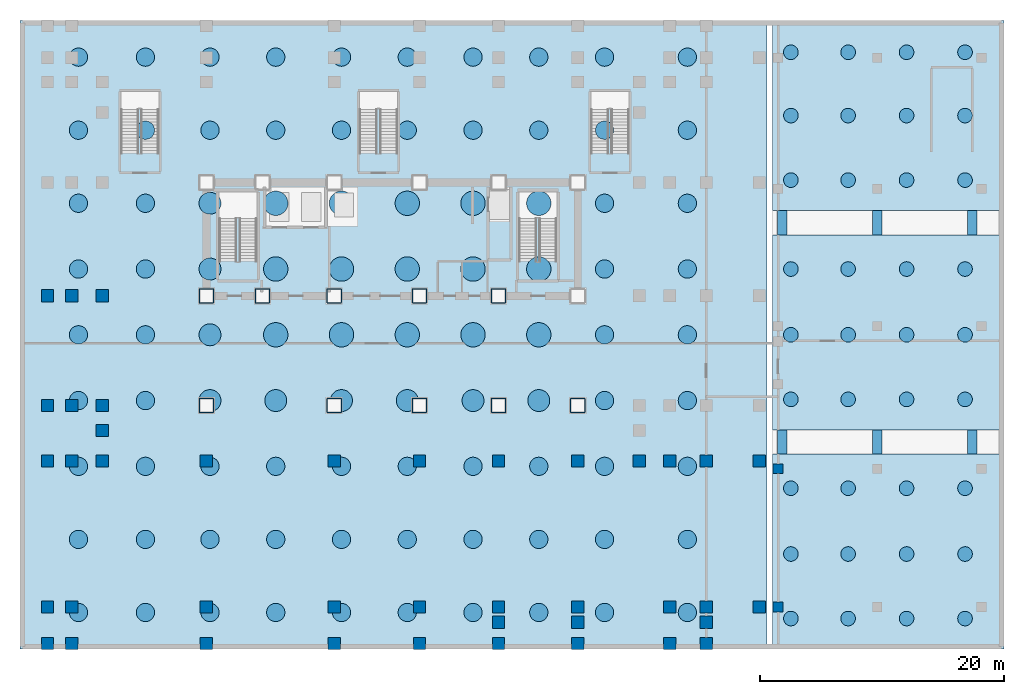
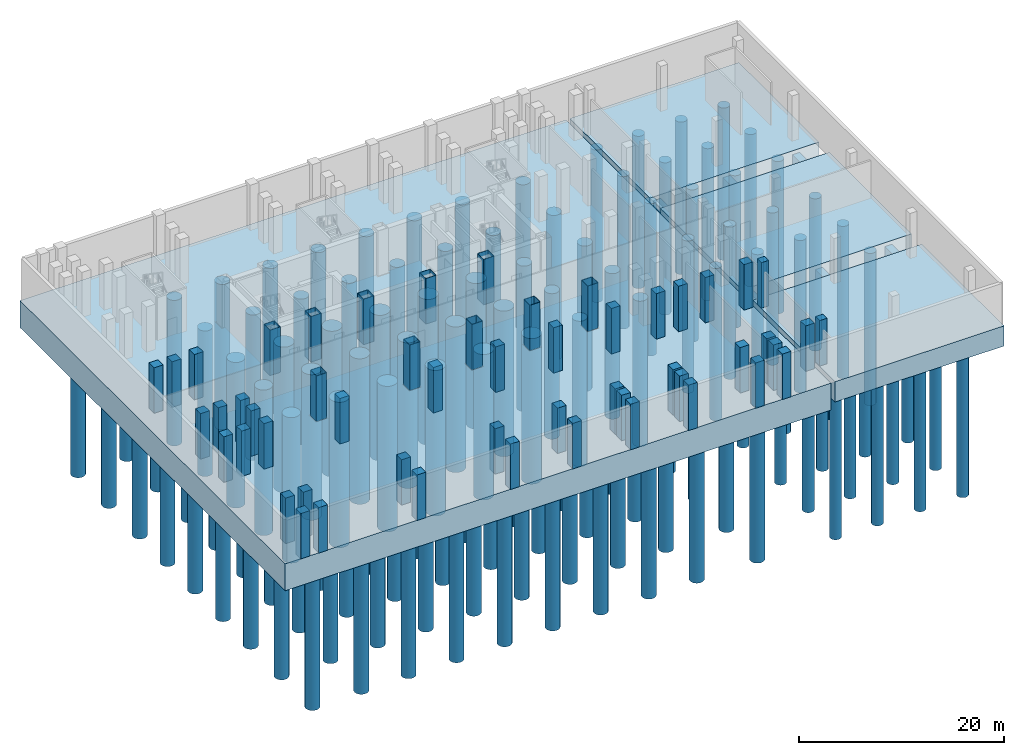
# One storey, part 1 of 8: 126 piles, 53 columns, 10 footings.
"""IFC4 building model written with IfcOpenShell, lengths in metres."""

from ifc_helpers import new_model, si_unit, direction, frame, origin, origin_2d, place, context, subcontext, project, spatial, polyline, rectangle, hollow_rectangle, circle, outline, extrude, material, layer, layer_set, material_profile, profile_set, type_object, element, save


model = new_model("IFC4")

# Units and contexts
model_context = context("Model", 3, precision=1e-05, world=origin(), true_north=direction((0.0, 1.0)))
body_context = subcontext(model_context, "Body", "Model", "MODEL_VIEW")
ifc_project = project(units=[si_unit("LENGTHUNIT", "METRE"), si_unit("AREAUNIT", "SQUARE_METRE"), si_unit("VOLUMEUNIT", "CUBIC_METRE"), si_unit("PLANEANGLEUNIT", "RADIAN"), si_unit("MASSUNIT", "GRAM", prefix="KILO")], contexts=[model_context])

# Site, building, storey
site_placement = place(None, origin())
site = spatial("IfcSite", under=ifc_project, at=site_placement, CompositionType="ELEMENT")
building_placement = place(site_placement, origin())
building = spatial("IfcBuilding", under=site, at=building_placement, Name="Noeulbin Bourse Tower", CompositionType="ELEMENT")
storey_placement = place(building_placement, frame((0.0, 0.0, -15.60009765625)))
storey = spatial("IfcBuildingStorey", under=building, at=storey_placement, Name="B03", CompositionType="ELEMENT", Elevation=-15.60009765625)

# Footings
ifc_material_1 = material(Name="Concrete C50/60", Category="concrete")
ifc_layer_1 = layer(ifc_material_1, 2.39990234375)
ifc_layer_set_1 = layer_set([ifc_layer_1], Name="Concrete C50/60")
footing_type_1 = type_object("IfcFootingType", Name="FT-CAP-20400x15600x2400", PredefinedType="PILE_CAP", material=ifc_layer_set_1)
footing_1_placement = place(storey_placement, frame((0.0, 0.0, -2.39990234375)))
element("IfcFooting", 1, at=footing_1_placement, inside=storey, type_object=footing_type_1, Name="Market Hall Pile Cap FND-CAP-M3", PredefinedType="PILE_CAP", context=body_context, shape_type="SweptSolid", body=[
    extrude(outline(polyline([(60.0, 36.0), (79.0, 36.0), (79.0, 51.60009765625), (60.0, 51.60009765625), (60.0, 36.0)])), origin(), (0.0, 0.0, 1.0), 2.39990234375),
])
ifc_layer_2 = layer(ifc_material_1, 2.39990234375)
ifc_layer_set_2 = layer_set([ifc_layer_2], Name="Concrete C50/60")
footing_type_2 = type_object("IfcFootingType", Name="FT-CAP-20400x16000x2400", PredefinedType="PILE_CAP", material=ifc_layer_set_2)
footing_2_placement = place(storey_placement, frame((0.0, 0.0, -2.39990234375)))
element("IfcFooting", 2, at=footing_2_placement, inside=storey, type_object=footing_type_2, Name="Market Hall Pile Cap FND-CAP-M1", PredefinedType="PILE_CAP", context=body_context, shape_type="SweptSolid", body=[
    extrude(outline(polyline([(60.0, 0.0), (79.0, 0.0), (79.0, 16.0), (60.0, 16.0), (60.0, 0.0)])), origin(), (0.0, 0.0, 1.0), 2.39990234375),
])
footing_3_placement = place(storey_placement, frame((0.0, 0.0, -2.39990234375)))
element("IfcFooting", 3, at=footing_3_placement, inside=storey, type_object=footing_type_2, Name="Market Hall Pile Cap FND-CAP-M2", PredefinedType="PILE_CAP", context=body_context, shape_type="SweptSolid", body=[
    extrude(outline(polyline([(60.0, 18.0), (79.0, 18.0), (79.0, 34.0), (60.0, 34.0), (60.0, 18.0)])), origin(), (0.0, 0.0, 1.0), 2.39990234375),
])
ifc_layer_3 = layer(ifc_material_1, 3.199951171875)
ifc_layer_set_3 = layer_set([ifc_layer_3], Name="Concrete C50/60")
footing_type_3 = type_object("IfcFootingType", Name="FT-RAFT-3200", PredefinedType="PILE_CAP", material=ifc_layer_set_3)
footing_4_placement = place(storey_placement, frame((0.0, 0.0, -3.199951171875)))
element("IfcFooting", 4, at=footing_4_placement, inside=storey, type_object=footing_type_3, Name="Tower and Station Piled Raft Foundation FT-R1", PredefinedType="PILE_CAP", context=body_context, shape_type="SweptSolid", body=[
    extrude(outline(polyline([(-1.800048828125, 0.0), (59.550048828125, 0.0), (59.550048828125, 51.60009765625), (-1.800048828125, 51.60009765625), (-1.800048828125, 0.0)])), origin(), (0.0, 0.0, 1.0), 3.199951171875),
])
ifc_material_profile_1 = material_profile(ifc_material_1, rectangle(XDim=0.800048828125, YDim=1.199951171875, at=origin_2d()), Name="RC-TB-800x1200", Category="LoadBearing")
ifc_profile_set_1 = profile_set([ifc_material_profile_1], Name="Concrete C50/60")
footing_type_4 = type_object("IfcFootingType", Name="FT-TIE-800x1200", PredefinedType="FOOTING_BEAM", material=ifc_profile_set_1)
for number, where, z_axis, x_axis, name in (
    (5, (60.800048828125, 16.0, -1.0498046875), (0.0, 1.0, 0.0), (-1.0, 0.0, 0.0), "Foundation Ground Tie Beam NS1-01"),
    (6, (60.800048828125, 34.0, -1.0498046875), (0.0, 1.0, 0.0), (-1.0, 0.0, 0.0), "Foundation Ground Tie Beam NS2-01"),
    (7, (68.60009765625, 16.0, -1.0498046875), (0.0, 1.0, 0.0), (-1.0, 0.0, 0.0), "Foundation Ground Tie Beam NS1-02"),
    (8, (68.60009765625, 34.0, -1.0498046875), (0.0, 1.0, 0.0), (-1.0, 0.0, 0.0), "Foundation Ground Tie Beam NS2-02"),
    (9, (76.39990234375, 16.0, -1.0498046875), (0.0, 1.0, 0.0), (-1.0, 0.0, 0.0), "Foundation Ground Tie Beam NS1-03"),
    (10, (76.39990234375, 34.0, -1.0498046875), (0.0, 1.0, 0.0), (-1.0, 0.0, 0.0), "Foundation Ground Tie Beam NS2-03"),
):
    element("IfcFooting", number, at=place(storey_placement, frame(where, z_axis=z_axis, x_axis=x_axis)), inside=storey, type_object=footing_type_4, Name=name, PredefinedType="FOOTING_BEAM", context=body_context, shape_type="SweptSolid", body=[
        extrude(rectangle(XDim=0.800048828125, YDim=1.199951171875, at=origin_2d()), origin(), (0.0, 0.0, 1.0), 2.0),
    ])

# Piles
ifc_material_profile_2 = material_profile(ifc_material_1, circle(Radius=0.60009765625, at=origin_2d()), Name="PILE-D1200", Category="LoadBearing")
ifc_profile_set_2 = profile_set([ifc_material_profile_2], Name="Concrete C50/60")
pile_type_1 = type_object("IfcPileType", Name="PILE-BORED-1200", PredefinedType="BORED", material=ifc_profile_set_2)
for number, where, z_axis, x_axis, name in (
    (11, (61.5, 2.5, -2.2998046875), (0.0, 0.0, -1.0), (1.0, 0.0, 0.0), "Market Hall Rock-Socketed Bored Pile PM-001"),
    (12, (61.5, 7.800048828125, -2.2998046875), (0.0, 0.0, -1.0), (1.0, 0.0, 0.0), "Market Hall Rock-Socketed Bored Pile PM-002"),
    (13, (61.5, 13.199951171875, -2.2998046875), (0.0, 0.0, -1.0), (1.0, 0.0, 0.0), "Market Hall Rock-Socketed Bored Pile PM-003"),
    (14, (66.199951171875, 2.5, -2.2998046875), (0.0, 0.0, -1.0), (1.0, 0.0, 0.0), "Market Hall Rock-Socketed Bored Pile PM-004"),
    (15, (66.199951171875, 7.800048828125, -2.2998046875), (0.0, 0.0, -1.0), (1.0, 0.0, 0.0), "Market Hall Rock-Socketed Bored Pile PM-005"),
    (16, (66.199951171875, 13.199951171875, -2.2998046875), (0.0, 0.0, -1.0), (1.0, 0.0, 0.0), "Market Hall Rock-Socketed Bored Pile PM-006"),
    (17, (71.0, 2.5, -2.2998046875), (0.0, 0.0, -1.0), (1.0, 0.0, 0.0), "Market Hall Rock-Socketed Bored Pile PM-007"),
    (18, (71.0, 7.800048828125, -2.2998046875), (0.0, 0.0, -1.0), (1.0, 0.0, 0.0), "Market Hall Rock-Socketed Bored Pile PM-008"),
    (19, (71.0, 13.199951171875, -2.2998046875), (0.0, 0.0, -1.0), (1.0, 0.0, 0.0), "Market Hall Rock-Socketed Bored Pile PM-009"),
    (20, (75.800048828125, 2.5, -2.2998046875), (0.0, 0.0, -1.0), (1.0, 0.0, 0.0), "Market Hall Rock-Socketed Bored Pile PM-010"),
    (21, (75.800048828125, 7.800048828125, -2.2998046875), (0.0, 0.0, -1.0), (1.0, 0.0, 0.0), "Market Hall Rock-Socketed Bored Pile PM-011"),
    (22, (75.800048828125, 13.199951171875, -2.2998046875), (0.0, 0.0, -1.0), (1.0, 0.0, 0.0), "Market Hall Rock-Socketed Bored Pile PM-012"),
    (23, (61.5, 20.5, -2.2998046875), (0.0, 0.0, -1.0), (1.0, 0.0, 0.0), "Market Hall Rock-Socketed Bored Pile PM-013"),
    (24, (61.5, 25.800048828125, -2.2998046875), (0.0, 0.0, -1.0), (1.0, 0.0, 0.0), "Market Hall Rock-Socketed Bored Pile PM-014"),
    (25, (61.5, 31.199951171875, -2.2998046875), (0.0, 0.0, -1.0), (1.0, 0.0, 0.0), "Market Hall Rock-Socketed Bored Pile PM-015"),
    (26, (66.199951171875, 20.5, -2.2998046875), (0.0, 0.0, -1.0), (1.0, 0.0, 0.0), "Market Hall Rock-Socketed Bored Pile PM-016"),
    (27, (66.199951171875, 25.800048828125, -2.2998046875), (0.0, 0.0, -1.0), (1.0, 0.0, 0.0), "Market Hall Rock-Socketed Bored Pile PM-017"),
    (28, (66.199951171875, 31.199951171875, -2.2998046875), (0.0, 0.0, -1.0), (1.0, 0.0, 0.0), "Market Hall Rock-Socketed Bored Pile PM-018"),
    (29, (71.0, 20.5, -2.2998046875), (0.0, 0.0, -1.0), (1.0, 0.0, 0.0), "Market Hall Rock-Socketed Bored Pile PM-019"),
    (30, (71.0, 25.800048828125, -2.2998046875), (0.0, 0.0, -1.0), (1.0, 0.0, 0.0), "Market Hall Rock-Socketed Bored Pile PM-020"),
    (31, (71.0, 31.199951171875, -2.2998046875), (0.0, 0.0, -1.0), (1.0, 0.0, 0.0), "Market Hall Rock-Socketed Bored Pile PM-021"),
    (32, (75.800048828125, 20.5, -2.2998046875), (0.0, 0.0, -1.0), (1.0, 0.0, 0.0), "Market Hall Rock-Socketed Bored Pile PM-022"),
    (33, (75.800048828125, 25.800048828125, -2.2998046875), (0.0, 0.0, -1.0), (1.0, 0.0, 0.0), "Market Hall Rock-Socketed Bored Pile PM-023"),
    (34, (75.800048828125, 31.199951171875, -2.2998046875), (0.0, 0.0, -1.0), (1.0, 0.0, 0.0), "Market Hall Rock-Socketed Bored Pile PM-024"),
    (35, (61.5, 38.5, -2.2998046875), (0.0, 0.0, -1.0), (1.0, 0.0, 0.0), "Market Hall Rock-Socketed Bored Pile PM-025"),
    (36, (61.5, 43.800048828125, -2.2998046875), (0.0, 0.0, -1.0), (1.0, 0.0, 0.0), "Market Hall Rock-Socketed Bored Pile PM-026"),
    (37, (61.5, 49.0, -2.2998046875), (0.0, 0.0, -1.0), (1.0, 0.0, 0.0), "Market Hall Rock-Socketed Bored Pile PM-027"),
    (38, (66.199951171875, 38.5, -2.2998046875), (0.0, 0.0, -1.0), (1.0, 0.0, 0.0), "Market Hall Rock-Socketed Bored Pile PM-028"),
    (39, (66.199951171875, 43.800048828125, -2.2998046875), (0.0, 0.0, -1.0), (1.0, 0.0, 0.0), "Market Hall Rock-Socketed Bored Pile PM-029"),
    (40, (66.199951171875, 49.0, -2.2998046875), (0.0, 0.0, -1.0), (1.0, 0.0, 0.0), "Market Hall Rock-Socketed Bored Pile PM-030"),
    (41, (71.0, 38.5, -2.2998046875), (0.0, 0.0, -1.0), (1.0, 0.0, 0.0), "Market Hall Rock-Socketed Bored Pile PM-031"),
    (42, (71.0, 43.800048828125, -2.2998046875), (0.0, 0.0, -1.0), (1.0, 0.0, 0.0), "Market Hall Rock-Socketed Bored Pile PM-032"),
    (43, (71.0, 49.0, -2.2998046875), (0.0, 0.0, -1.0), (1.0, 0.0, 0.0), "Market Hall Rock-Socketed Bored Pile PM-033"),
    (44, (75.800048828125, 38.5, -2.2998046875), (0.0, 0.0, -1.0), (1.0, 0.0, 0.0), "Market Hall Rock-Socketed Bored Pile PM-034"),
    (45, (75.800048828125, 43.800048828125, -2.2998046875), (0.0, 0.0, -1.0), (1.0, 0.0, 0.0), "Market Hall Rock-Socketed Bored Pile PM-035"),
    (46, (75.800048828125, 49.0, -2.2998046875), (0.0, 0.0, -1.0), (1.0, 0.0, 0.0), "Market Hall Rock-Socketed Bored Pile PM-036"),
):
    element("IfcPile", number, at=place(storey_placement, frame(where, z_axis=z_axis, x_axis=x_axis)), inside=storey, type_object=pile_type_1, Name=name, PredefinedType="BORED", context=body_context, shape_type="SweptSolid", body=[
        extrude(circle(Radius=0.60009765625, at=origin_2d()), origin(), (0.0, 0.0, 1.0), 18.10009765625),
    ])
ifc_material_profile_3 = material_profile(ifc_material_1, circle(Radius=0.75, at=origin_2d()), Name="PILE-D1500", Category="LoadBearing")
ifc_profile_set_3 = profile_set([ifc_material_profile_3], Name="Concrete C50/60")
pile_type_2 = type_object("IfcPileType", Name="PILE-BORED-1500", PredefinedType="BORED", material=ifc_profile_set_3)
for number, where, z_axis, x_axis, name in (
    (47, (3.0, 3.0, -3.099853515625), (0.0, 0.0, -1.0), (1.0, 0.0, 0.0), "Tower Rock-Socketed Bored Pile P-001"),
    (48, (3.0, 9.0, -3.099853515625), (0.0, 0.0, -1.0), (1.0, 0.0, 0.0), "Tower Rock-Socketed Bored Pile P-002"),
    (49, (3.0, 15.0, -3.099853515625), (0.0, 0.0, -1.0), (1.0, 0.0, 0.0), "Tower Rock-Socketed Bored Pile P-003"),
    (50, (3.0, 20.39990234375, -3.099853515625), (0.0, 0.0, -1.0), (1.0, 0.0, 0.0), "Tower Rock-Socketed Bored Pile P-004"),
    (51, (3.0, 25.800048828125, -3.099853515625), (0.0, 0.0, -1.0), (1.0, 0.0, 0.0), "Tower Rock-Socketed Bored Pile P-005"),
    (52, (3.0, 31.199951171875, -3.099853515625), (0.0, 0.0, -1.0), (1.0, 0.0, 0.0), "Tower Rock-Socketed Bored Pile P-006"),
    (53, (3.0, 36.60009765625, -3.099853515625), (0.0, 0.0, -1.0), (1.0, 0.0, 0.0), "Tower Rock-Socketed Bored Pile P-007"),
    (54, (3.0, 42.60009765625, -3.099853515625), (0.0, 0.0, -1.0), (1.0, 0.0, 0.0), "Tower Rock-Socketed Bored Pile P-008"),
    (55, (3.0, 48.60009765625, -3.099853515625), (0.0, 0.0, -1.0), (1.0, 0.0, 0.0), "Tower Rock-Socketed Bored Pile P-009"),
    (56, (8.5, 3.0, -3.099853515625), (0.0, 0.0, -1.0), (1.0, 0.0, 0.0), "Tower Rock-Socketed Bored Pile P-010"),
    (57, (8.5, 9.0, -3.099853515625), (0.0, 0.0, -1.0), (1.0, 0.0, 0.0), "Tower Rock-Socketed Bored Pile P-011"),
    (58, (8.5, 15.0, -3.099853515625), (0.0, 0.0, -1.0), (1.0, 0.0, 0.0), "Tower Rock-Socketed Bored Pile P-012"),
    (59, (8.5, 20.39990234375, -3.099853515625), (0.0, 0.0, -1.0), (1.0, 0.0, 0.0), "Tower Rock-Socketed Bored Pile P-013"),
    (60, (8.5, 25.800048828125, -3.099853515625), (0.0, 0.0, -1.0), (1.0, 0.0, 0.0), "Tower Rock-Socketed Bored Pile P-014"),
    (61, (8.5, 31.199951171875, -3.099853515625), (0.0, 0.0, -1.0), (1.0, 0.0, 0.0), "Tower Rock-Socketed Bored Pile P-015"),
    (62, (8.5, 36.60009765625, -3.099853515625), (0.0, 0.0, -1.0), (1.0, 0.0, 0.0), "Tower Rock-Socketed Bored Pile P-016"),
    (63, (8.5, 42.60009765625, -3.099853515625), (0.0, 0.0, -1.0), (1.0, 0.0, 0.0), "Tower Rock-Socketed Bored Pile P-017"),
    (64, (8.5, 48.60009765625, -3.099853515625), (0.0, 0.0, -1.0), (1.0, 0.0, 0.0), "Tower Rock-Socketed Bored Pile P-018"),
    (65, (13.800048828125, 3.0, -3.099853515625), (0.0, 0.0, -1.0), (1.0, 0.0, 0.0), "Tower Rock-Socketed Bored Pile P-019"),
    (66, (13.800048828125, 9.0, -3.099853515625), (0.0, 0.0, -1.0), (1.0, 0.0, 0.0), "Tower Rock-Socketed Bored Pile P-020"),
    (67, (13.800048828125, 15.0, -3.099853515625), (0.0, 0.0, -1.0), (1.0, 0.0, 0.0), "Tower Rock-Socketed Bored Pile P-021"),
    (68, (13.800048828125, 42.60009765625, -3.099853515625), (0.0, 0.0, -1.0), (1.0, 0.0, 0.0), "Tower Rock-Socketed Bored Pile P-026"),
    (69, (13.800048828125, 48.60009765625, -3.099853515625), (0.0, 0.0, -1.0), (1.0, 0.0, 0.0), "Tower Rock-Socketed Bored Pile P-027"),
    (70, (19.199951171875, 3.0, -3.099853515625), (0.0, 0.0, -1.0), (1.0, 0.0, 0.0), "Tower Rock-Socketed Bored Pile P-028"),
    (71, (19.199951171875, 9.0, -3.099853515625), (0.0, 0.0, -1.0), (1.0, 0.0, 0.0), "Tower Rock-Socketed Bored Pile P-029"),
    (72, (19.199951171875, 15.0, -3.099853515625), (0.0, 0.0, -1.0), (1.0, 0.0, 0.0), "Tower Rock-Socketed Bored Pile P-030"),
    (73, (19.199951171875, 42.60009765625, -3.099853515625), (0.0, 0.0, -1.0), (1.0, 0.0, 0.0), "Tower Rock-Socketed Bored Pile P-035"),
    (74, (19.199951171875, 48.60009765625, -3.099853515625), (0.0, 0.0, -1.0), (1.0, 0.0, 0.0), "Tower Rock-Socketed Bored Pile P-036"),
    (75, (24.60009765625, 3.0, -3.099853515625), (0.0, 0.0, -1.0), (1.0, 0.0, 0.0), "Tower Rock-Socketed Bored Pile P-037"),
    (76, (24.60009765625, 9.0, -3.099853515625), (0.0, 0.0, -1.0), (1.0, 0.0, 0.0), "Tower Rock-Socketed Bored Pile P-038"),
    (77, (24.60009765625, 15.0, -3.099853515625), (0.0, 0.0, -1.0), (1.0, 0.0, 0.0), "Tower Rock-Socketed Bored Pile P-039"),
    (78, (24.60009765625, 42.60009765625, -3.099853515625), (0.0, 0.0, -1.0), (1.0, 0.0, 0.0), "Tower Rock-Socketed Bored Pile P-044"),
    (79, (24.60009765625, 48.60009765625, -3.099853515625), (0.0, 0.0, -1.0), (1.0, 0.0, 0.0), "Tower Rock-Socketed Bored Pile P-045"),
    (80, (30.0, 3.0, -3.099853515625), (0.0, 0.0, -1.0), (1.0, 0.0, 0.0), "Tower Rock-Socketed Bored Pile P-046"),
    (81, (30.0, 9.0, -3.099853515625), (0.0, 0.0, -1.0), (1.0, 0.0, 0.0), "Tower Rock-Socketed Bored Pile P-047"),
    (82, (30.0, 15.0, -3.099853515625), (0.0, 0.0, -1.0), (1.0, 0.0, 0.0), "Tower Rock-Socketed Bored Pile P-048"),
    (83, (30.0, 42.60009765625, -3.099853515625), (0.0, 0.0, -1.0), (1.0, 0.0, 0.0), "Tower Rock-Socketed Bored Pile P-053"),
    (84, (30.0, 48.60009765625, -3.099853515625), (0.0, 0.0, -1.0), (1.0, 0.0, 0.0), "Tower Rock-Socketed Bored Pile P-054"),
    (85, (35.39990234375, 3.0, -3.099853515625), (0.0, 0.0, -1.0), (1.0, 0.0, 0.0), "Tower Rock-Socketed Bored Pile P-055"),
    (86, (35.39990234375, 9.0, -3.099853515625), (0.0, 0.0, -1.0), (1.0, 0.0, 0.0), "Tower Rock-Socketed Bored Pile P-056"),
    (87, (35.39990234375, 15.0, -3.099853515625), (0.0, 0.0, -1.0), (1.0, 0.0, 0.0), "Tower Rock-Socketed Bored Pile P-057"),
    (88, (35.39990234375, 42.60009765625, -3.099853515625), (0.0, 0.0, -1.0), (1.0, 0.0, 0.0), "Tower Rock-Socketed Bored Pile P-062"),
    (89, (35.39990234375, 48.60009765625, -3.099853515625), (0.0, 0.0, -1.0), (1.0, 0.0, 0.0), "Tower Rock-Socketed Bored Pile P-063"),
    (90, (40.800048828125, 3.0, -3.099853515625), (0.0, 0.0, -1.0), (1.0, 0.0, 0.0), "Tower Rock-Socketed Bored Pile P-064"),
    (91, (40.800048828125, 9.0, -3.099853515625), (0.0, 0.0, -1.0), (1.0, 0.0, 0.0), "Tower Rock-Socketed Bored Pile P-065"),
    (92, (40.800048828125, 15.0, -3.099853515625), (0.0, 0.0, -1.0), (1.0, 0.0, 0.0), "Tower Rock-Socketed Bored Pile P-066"),
    (93, (40.800048828125, 42.60009765625, -3.099853515625), (0.0, 0.0, -1.0), (1.0, 0.0, 0.0), "Tower Rock-Socketed Bored Pile P-071"),
    (94, (40.800048828125, 48.60009765625, -3.099853515625), (0.0, 0.0, -1.0), (1.0, 0.0, 0.0), "Tower Rock-Socketed Bored Pile P-072"),
    (95, (46.199951171875, 3.0, -3.099853515625), (0.0, 0.0, -1.0), (1.0, 0.0, 0.0), "Tower Rock-Socketed Bored Pile P-073"),
    (96, (46.199951171875, 9.0, -3.099853515625), (0.0, 0.0, -1.0), (1.0, 0.0, 0.0), "Tower Rock-Socketed Bored Pile P-074"),
    (97, (46.199951171875, 15.0, -3.099853515625), (0.0, 0.0, -1.0), (1.0, 0.0, 0.0), "Tower Rock-Socketed Bored Pile P-075"),
    (98, (46.199951171875, 20.39990234375, -3.099853515625), (0.0, 0.0, -1.0), (1.0, 0.0, 0.0), "Tower Rock-Socketed Bored Pile P-076"),
    (99, (46.199951171875, 25.800048828125, -3.099853515625), (0.0, 0.0, -1.0), (1.0, 0.0, 0.0), "Tower Rock-Socketed Bored Pile P-077"),
    (100, (46.199951171875, 31.199951171875, -3.099853515625), (0.0, 0.0, -1.0), (1.0, 0.0, 0.0), "Tower Rock-Socketed Bored Pile P-078"),
    (101, (46.199951171875, 36.60009765625, -3.099853515625), (0.0, 0.0, -1.0), (1.0, 0.0, 0.0), "Tower Rock-Socketed Bored Pile P-079"),
    (102, (46.199951171875, 42.60009765625, -3.099853515625), (0.0, 0.0, -1.0), (1.0, 0.0, 0.0), "Tower Rock-Socketed Bored Pile P-080"),
    (103, (46.199951171875, 48.60009765625, -3.099853515625), (0.0, 0.0, -1.0), (1.0, 0.0, 0.0), "Tower Rock-Socketed Bored Pile P-081"),
    (104, (53.0, 3.0, -3.099853515625), (0.0, 0.0, -1.0), (1.0, 0.0, 0.0), "Tower Rock-Socketed Bored Pile P-082"),
    (105, (53.0, 9.0, -3.099853515625), (0.0, 0.0, -1.0), (1.0, 0.0, 0.0), "Tower Rock-Socketed Bored Pile P-083"),
    (106, (53.0, 15.0, -3.099853515625), (0.0, 0.0, -1.0), (1.0, 0.0, 0.0), "Tower Rock-Socketed Bored Pile P-084"),
    (107, (53.0, 20.39990234375, -3.099853515625), (0.0, 0.0, -1.0), (1.0, 0.0, 0.0), "Tower Rock-Socketed Bored Pile P-085"),
    (108, (53.0, 25.800048828125, -3.099853515625), (0.0, 0.0, -1.0), (1.0, 0.0, 0.0), "Tower Rock-Socketed Bored Pile P-086"),
    (109, (53.0, 31.199951171875, -3.099853515625), (0.0, 0.0, -1.0), (1.0, 0.0, 0.0), "Tower Rock-Socketed Bored Pile P-087"),
    (110, (53.0, 36.60009765625, -3.099853515625), (0.0, 0.0, -1.0), (1.0, 0.0, 0.0), "Tower Rock-Socketed Bored Pile P-088"),
    (111, (53.0, 42.60009765625, -3.099853515625), (0.0, 0.0, -1.0), (1.0, 0.0, 0.0), "Tower Rock-Socketed Bored Pile P-089"),
    (112, (53.0, 48.60009765625, -3.099853515625), (0.0, 0.0, -1.0), (1.0, 0.0, 0.0), "Tower Rock-Socketed Bored Pile P-090"),
):
    element("IfcPile", number, at=place(storey_placement, frame(where, z_axis=z_axis, x_axis=x_axis)), inside=storey, type_object=pile_type_2, Name=name, PredefinedType="BORED", context=body_context, shape_type="SweptSolid", body=[
        extrude(circle(Radius=0.75, at=origin_2d()), origin(), (0.0, 0.0, 1.0), 17.300048828125),
    ])
ifc_material_profile_4 = material_profile(ifc_material_1, circle(Radius=0.89990234375, at=origin_2d()), Name="PILE-D1800", Category="LoadBearing")
ifc_profile_set_4 = profile_set([ifc_material_profile_4], Name="Concrete C50/60")
pile_type_3 = type_object("IfcPileType", Name="PILE-BORED-1800", PredefinedType="BORED", material=ifc_profile_set_4)
for number, where, z_axis, x_axis, name in (
    (113, (13.800048828125, 20.39990234375, -3.099853515625), (0.0, 0.0, -1.0), (1.0, 0.0, 0.0), "Tower Rock-Socketed Bored Pile P-022"),
    (114, (13.800048828125, 25.800048828125, -3.099853515625), (0.0, 0.0, -1.0), (1.0, 0.0, 0.0), "Tower Rock-Socketed Bored Pile P-023"),
    (115, (13.800048828125, 31.199951171875, -3.099853515625), (0.0, 0.0, -1.0), (1.0, 0.0, 0.0), "Tower Rock-Socketed Bored Pile P-024"),
    (116, (13.800048828125, 36.60009765625, -3.099853515625), (0.0, 0.0, -1.0), (1.0, 0.0, 0.0), "Tower Rock-Socketed Bored Pile P-025"),
    (117, (19.199951171875, 20.39990234375, -3.099853515625), (0.0, 0.0, -1.0), (1.0, 0.0, 0.0), "Tower Rock-Socketed Bored Pile P-031"),
    (118, (24.60009765625, 20.39990234375, -3.099853515625), (0.0, 0.0, -1.0), (1.0, 0.0, 0.0), "Tower Rock-Socketed Bored Pile P-040"),
    (119, (30.0, 20.39990234375, -3.099853515625), (0.0, 0.0, -1.0), (1.0, 0.0, 0.0), "Tower Rock-Socketed Bored Pile P-049"),
    (120, (35.39990234375, 20.39990234375, -3.099853515625), (0.0, 0.0, -1.0), (1.0, 0.0, 0.0), "Tower Rock-Socketed Bored Pile P-058"),
    (121, (40.800048828125, 20.39990234375, -3.099853515625), (0.0, 0.0, -1.0), (1.0, 0.0, 0.0), "Tower Rock-Socketed Bored Pile P-067"),
):
    element("IfcPile", number, at=place(storey_placement, frame(where, z_axis=z_axis, x_axis=x_axis)), inside=storey, type_object=pile_type_3, Name=name, PredefinedType="BORED", context=body_context, shape_type="SweptSolid", body=[
        extrude(circle(Radius=0.89990234375, at=origin_2d()), origin(), (0.0, 0.0, 1.0), 17.300048828125),
    ])
ifc_material_profile_5 = material_profile(ifc_material_1, circle(Radius=1.0, at=origin_2d()), Name="PILE-D2000", Category="LoadBearing")
ifc_profile_set_5 = profile_set([ifc_material_profile_5], Name="Concrete C50/60")
pile_type_4 = type_object("IfcPileType", Name="PILE-BORED-2000", PredefinedType="BORED", material=ifc_profile_set_5)
for number, where, z_axis, x_axis, name in (
    (122, (19.199951171875, 25.800048828125, -3.099853515625), (0.0, 0.0, -1.0), (1.0, 0.0, 0.0), "Tower Rock-Socketed Bored Pile P-032"),
    (123, (19.199951171875, 31.199951171875, -3.099853515625), (0.0, 0.0, -1.0), (1.0, 0.0, 0.0), "Tower Rock-Socketed Bored Pile P-033"),
    (124, (19.199951171875, 36.60009765625, -3.099853515625), (0.0, 0.0, -1.0), (1.0, 0.0, 0.0), "Tower Rock-Socketed Bored Pile P-034"),
    (125, (24.60009765625, 25.800048828125, -3.099853515625), (0.0, 0.0, -1.0), (1.0, 0.0, 0.0), "Tower Rock-Socketed Bored Pile P-041"),
    (126, (24.60009765625, 31.199951171875, -3.099853515625), (0.0, 0.0, -1.0), (1.0, 0.0, 0.0), "Tower Rock-Socketed Bored Pile P-042"),
    (127, (24.60009765625, 36.60009765625, -3.099853515625), (0.0, 0.0, -1.0), (1.0, 0.0, 0.0), "Tower Rock-Socketed Bored Pile P-043"),
    (128, (30.0, 25.800048828125, -3.099853515625), (0.0, 0.0, -1.0), (1.0, 0.0, 0.0), "Tower Rock-Socketed Bored Pile P-050"),
    (129, (30.0, 31.199951171875, -3.099853515625), (0.0, 0.0, -1.0), (1.0, 0.0, 0.0), "Tower Rock-Socketed Bored Pile P-051"),
    (130, (30.0, 36.60009765625, -3.099853515625), (0.0, 0.0, -1.0), (1.0, 0.0, 0.0), "Tower Rock-Socketed Bored Pile P-052"),
    (131, (35.39990234375, 25.800048828125, -3.099853515625), (0.0, 0.0, -1.0), (1.0, 0.0, 0.0), "Tower Rock-Socketed Bored Pile P-059"),
    (132, (35.39990234375, 31.199951171875, -3.099853515625), (0.0, 0.0, -1.0), (1.0, 0.0, 0.0), "Tower Rock-Socketed Bored Pile P-060"),
    (133, (35.39990234375, 36.60009765625, -3.099853515625), (0.0, 0.0, -1.0), (1.0, 0.0, 0.0), "Tower Rock-Socketed Bored Pile P-061"),
    (134, (40.800048828125, 25.800048828125, -3.099853515625), (0.0, 0.0, -1.0), (1.0, 0.0, 0.0), "Tower Rock-Socketed Bored Pile P-068"),
    (135, (40.800048828125, 31.199951171875, -3.099853515625), (0.0, 0.0, -1.0), (1.0, 0.0, 0.0), "Tower Rock-Socketed Bored Pile P-069"),
    (136, (40.800048828125, 36.60009765625, -3.099853515625), (0.0, 0.0, -1.0), (1.0, 0.0, 0.0), "Tower Rock-Socketed Bored Pile P-070"),
):
    element("IfcPile", number, at=place(storey_placement, frame(where, z_axis=z_axis, x_axis=x_axis)), inside=storey, type_object=pile_type_4, Name=name, PredefinedType="BORED", context=body_context, shape_type="SweptSolid", body=[
        extrude(circle(Radius=1.0, at=origin_2d()), origin(), (0.0, 0.0, 1.0), 17.300048828125),
    ])

# Columns
ifc_material_2 = material(Name="Concrete C40/50", Category="concrete")
ifc_material_profile_6 = material_profile(ifc_material_2, rectangle(XDim=0.800048828125, YDim=0.800048828125, at=origin_2d()), Name="RC-COL-800x800", Category="LoadBearing")
ifc_profile_set_6 = profile_set([ifc_material_profile_6], Name="Concrete C40/50")
column_type_1 = type_object("IfcColumnType", Name="COL-MKT-RC", PredefinedType="COLUMN", material=ifc_profile_set_6)
for number, where, z_axis, x_axis, name in (
    (137, (60.449951171875, 3.449951171875, 0.0), (0.0, 0.0, 1.0), (1.0, 0.0, 0.0), "Market Hall Column COL-MKT-RC 01"),
    (138, (60.449951171875, 14.800048828125, 0.0), (0.0, 0.0, 1.0), (1.0, 0.0, 0.0), "Market Hall Column COL-MKT-RC 02"),
):
    element("IfcColumn", number, at=place(storey_placement, frame(where, z_axis=z_axis, x_axis=x_axis)), inside=storey, type_object=column_type_1, Name=name, PredefinedType="COLUMN", context=body_context, shape_type="SweptSolid", body=[
        extrude(rectangle(XDim=0.800048828125, YDim=0.800048828125, at=origin_2d()), origin(), (0.0, 0.0, 1.0), 5.400146484375),
    ])
ifc_material_profile_7 = material_profile(ifc_material_1, rectangle(XDim=1.0, YDim=1.0, at=origin_2d()), Name="RC-COL-1000x1000", Category="LoadBearing")
ifc_profile_set_7 = profile_set([ifc_material_profile_7], Name="Concrete C50/60")
column_type_2 = type_object("IfcColumnType", Name="COL-STN-RC", PredefinedType="COLUMN", material=ifc_profile_set_7)
for number, where, z_axis, x_axis, name in (
    (139, (0.449951171875, 0.449951171875, 0.0), (0.0, 0.0, 1.0), (1.0, 0.0, 0.0), "Podium Column COL-STN-RC 01"),
    (140, (0.449951171875, 3.449951171875, 0.0), (0.0, 0.0, 1.0), (1.0, 0.0, 0.0), "Podium Column COL-STN-RC 02"),
    (141, (0.449951171875, 15.449951171875, 0.0), (0.0, 0.0, 1.0), (1.0, 0.0, 0.0), "Podium Column COL-STN-RC 03"),
    (142, (0.449951171875, 20.0, 0.0), (0.0, 0.0, 1.0), (1.0, 0.0, 0.0), "Podium Column COL-STN-RC 04"),
    (143, (0.449951171875, 29.0, 0.0), (0.0, 0.0, 1.0), (1.0, 0.0, 0.0), "Podium Column COL-STN-RC 05"),
    (144, (2.449951171875, 0.449951171875, 0.0), (0.0, 0.0, 1.0), (1.0, 0.0, 0.0), "Podium Column COL-STN-RC 10"),
    (145, (2.449951171875, 3.449951171875, 0.0), (0.0, 0.0, 1.0), (1.0, 0.0, 0.0), "Podium Column COL-STN-RC 11"),
    (146, (2.449951171875, 15.449951171875, 0.0), (0.0, 0.0, 1.0), (1.0, 0.0, 0.0), "Podium Column COL-STN-RC 12"),
    (147, (2.449951171875, 20.0, 0.0), (0.0, 0.0, 1.0), (1.0, 0.0, 0.0), "Podium Column COL-STN-RC 13"),
    (148, (2.449951171875, 29.0, 0.0), (0.0, 0.0, 1.0), (1.0, 0.0, 0.0), "Podium Column COL-STN-RC 14"),
    (149, (4.949951171875, 15.449951171875, 0.0), (0.0, 0.0, 1.0), (1.0, 0.0, 0.0), "Podium Column COL-STN-RC 19"),
    (150, (4.949951171875, 17.949951171875, 0.0), (0.0, 0.0, 1.0), (1.0, 0.0, 0.0), "Podium Column COL-STN-RC 20"),
    (151, (4.949951171875, 20.0, 0.0), (0.0, 0.0, 1.0), (1.0, 0.0, 0.0), "Podium Column COL-STN-RC 21"),
    (152, (4.949951171875, 29.0, 0.0), (0.0, 0.0, 1.0), (1.0, 0.0, 0.0), "Podium Column COL-STN-RC 22"),
    (153, (13.5, 0.449951171875, 0.0), (0.0, 0.0, 1.0), (1.0, 0.0, 0.0), "Podium Column COL-STN-RC 26"),
    (154, (13.5, 3.449951171875, 0.0), (0.0, 0.0, 1.0), (1.0, 0.0, 0.0), "Podium Column COL-STN-RC 27"),
    (155, (13.5, 15.449951171875, 0.0), (0.0, 0.0, 1.0), (1.0, 0.0, 0.0), "Podium Column COL-STN-RC 28"),
    (156, (24.0, 0.449951171875, 0.0), (0.0, 0.0, 1.0), (1.0, 0.0, 0.0), "Podium Column COL-STN-RC 32"),
    (157, (24.0, 3.449951171875, 0.0), (0.0, 0.0, 1.0), (1.0, 0.0, 0.0), "Podium Column COL-STN-RC 33"),
    (158, (24.0, 15.449951171875, 0.0), (0.0, 0.0, 1.0), (1.0, 0.0, 0.0), "Podium Column COL-STN-RC 34"),
    (159, (31.0, 0.449951171875, 0.0), (0.0, 0.0, 1.0), (1.0, 0.0, 0.0), "Podium Column COL-STN-RC 38"),
    (160, (31.0, 3.449951171875, 0.0), (0.0, 0.0, 1.0), (1.0, 0.0, 0.0), "Podium Column COL-STN-RC 39"),
    (161, (31.0, 15.449951171875, 0.0), (0.0, 0.0, 1.0), (1.0, 0.0, 0.0), "Podium Column COL-STN-RC 40"),
    (162, (37.5, 0.449951171875, 0.0), (0.0, 0.0, 1.0), (1.0, 0.0, 0.0), "Podium Column COL-STN-RC 44"),
    (163, (37.5, 2.199951171875, 0.0), (0.0, 0.0, 1.0), (1.0, 0.0, 0.0), "Podium Column COL-STN-RC 45"),
    (164, (37.5, 3.449951171875, 0.0), (0.0, 0.0, 1.0), (1.0, 0.0, 0.0), "Podium Column COL-STN-RC 46"),
    (165, (37.5, 15.449951171875, 0.0), (0.0, 0.0, 1.0), (1.0, 0.0, 0.0), "Podium Column COL-STN-RC 47"),
    (166, (44.0, 0.449951171875, 0.0), (0.0, 0.0, 1.0), (1.0, 0.0, 0.0), "Podium Column COL-STN-RC 51"),
    (167, (44.0, 2.199951171875, 0.0), (0.0, 0.0, 1.0), (1.0, 0.0, 0.0), "Podium Column COL-STN-RC 52"),
    (168, (44.0, 3.449951171875, 0.0), (0.0, 0.0, 1.0), (1.0, 0.0, 0.0), "Podium Column COL-STN-RC 53"),
    (169, (44.0, 15.449951171875, 0.0), (0.0, 0.0, 1.0), (1.0, 0.0, 0.0), "Podium Column COL-STN-RC 54"),
    (170, (49.050048828125, 15.449951171875, 0.0), (0.0, 0.0, 1.0), (1.0, 0.0, 0.0), "Podium Column COL-STN-RC 58"),
    (171, (51.550048828125, 0.449951171875, 0.0), (0.0, 0.0, 1.0), (1.0, 0.0, 0.0), "Podium Column COL-STN-RC 65"),
    (172, (51.550048828125, 3.449951171875, 0.0), (0.0, 0.0, 1.0), (1.0, 0.0, 0.0), "Podium Column COL-STN-RC 66"),
    (173, (51.550048828125, 15.449951171875, 0.0), (0.0, 0.0, 1.0), (1.0, 0.0, 0.0), "Podium Column COL-STN-RC 67"),
    (174, (54.550048828125, 0.449951171875, 0.0), (0.0, 0.0, 1.0), (1.0, 0.0, 0.0), "Podium Column COL-STN-RC 74"),
    (175, (54.550048828125, 2.199951171875, 0.0), (0.0, 0.0, 1.0), (1.0, 0.0, 0.0), "Podium Column COL-STN-RC 75"),
    (176, (54.550048828125, 3.449951171875, 0.0), (0.0, 0.0, 1.0), (1.0, 0.0, 0.0), "Podium Column COL-STN-RC 76"),
    (177, (54.550048828125, 15.449951171875, 0.0), (0.0, 0.0, 1.0), (1.0, 0.0, 0.0), "Podium Column COL-STN-RC 77"),
    (178, (58.89990234375, 3.449951171875, 0.0), (0.0, 0.0, 1.0), (1.0, 0.0, 0.0), "Podium Column COL-STN-RC 84"),
    (179, (58.89990234375, 15.449951171875, 0.0), (0.0, 0.0, 1.0), (1.0, 0.0, 0.0), "Podium Column COL-STN-RC 85"),
):
    element("IfcColumn", number, at=place(storey_placement, frame(where, z_axis=z_axis, x_axis=x_axis)), inside=storey, type_object=column_type_2, Name=name, PredefinedType="COLUMN", context=body_context, shape_type="SweptSolid", body=[
        extrude(rectangle(XDim=1.0, YDim=1.0, at=origin_2d()), origin(), (0.0, 0.0, 1.0), 5.400146484375),
    ])
ifc_material_3 = material(Name="Steel S460", Category="steel")
ifc_material_profile_8 = material_profile(ifc_material_3, hollow_rectangle(XDim=1.199951171875, YDim=1.199951171875, WallThickness=0.0400390625, InnerFilletRadius=0.02001953125, OuterFilletRadius=0.06005859375, at=origin_2d()), Name="BOX-1200x1200x40", Category="LoadBearing")
ifc_profile_set_8 = profile_set([ifc_material_profile_8], Name="Steel S460")
column_type_3 = type_object("IfcColumnType", Name="COL-TRK-Z0", PredefinedType="COLUMN", material=ifc_profile_set_8)
for number, where, z_axis, x_axis, name in (
    (180, (13.5, 29.0, 0.0), (0.0, 0.0, 1.0), (1.0, 0.0, 0.0), "Tower Trunk Mega-Column COL-TRK-Z0 01"),
    (181, (18.10009765625, 29.0, 0.0), (0.0, 0.0, 1.0), (1.0, 0.0, 0.0), "Tower Trunk Mega-Column COL-TRK-Z0 03"),
    (182, (24.0, 29.0, 0.0), (0.0, 0.0, 1.0), (1.0, 0.0, 0.0), "Tower Trunk Mega-Column COL-TRK-Z0 05"),
    (183, (31.0, 29.0, 0.0), (0.0, 0.0, 1.0), (1.0, 0.0, 0.0), "Tower Trunk Mega-Column COL-TRK-Z0 07"),
    (184, (37.5, 29.0, 0.0), (0.0, 0.0, 1.0), (1.0, 0.0, 0.0), "Tower Trunk Mega-Column COL-TRK-Z0 09"),
    (185, (13.5, 20.0, 0.0), (0.0, 0.0, 1.0), (1.0, 0.0, 0.0), "Tower Trunk Mega-Column COL-TRK-Z0 13"),
    (186, (24.0, 20.0, 0.0), (0.0, 0.0, 1.0), (1.0, 0.0, 0.0), "Tower Trunk Mega-Column COL-TRK-Z0 14"),
    (187, (31.0, 20.0, 0.0), (0.0, 0.0, 1.0), (1.0, 0.0, 0.0), "Tower Trunk Mega-Column COL-TRK-Z0 15"),
    (188, (37.5, 20.0, 0.0), (0.0, 0.0, 1.0), (1.0, 0.0, 0.0), "Tower Trunk Mega-Column COL-TRK-Z0 16"),
    (189, (44.0, 20.0, 0.0), (0.0, 0.0, 1.0), (1.0, 0.0, 0.0), "Tower Trunk Mega-Column COL-TRK-Z0 17"),
):
    element("IfcColumn", number, at=place(storey_placement, frame(where, z_axis=z_axis, x_axis=x_axis)), inside=storey, type_object=column_type_3, Name=name, PredefinedType="COLUMN", context=body_context, shape_type="SweptSolid", body=[
        extrude(hollow_rectangle(XDim=1.199951171875, YDim=1.199951171875, WallThickness=0.0400390625, InnerFilletRadius=0.02001953125, OuterFilletRadius=0.06005859375, at=origin_2d()), origin(), (0.0, 0.0, 1.0), 5.400146484375),
    ])

save(model, "model.ifc")
